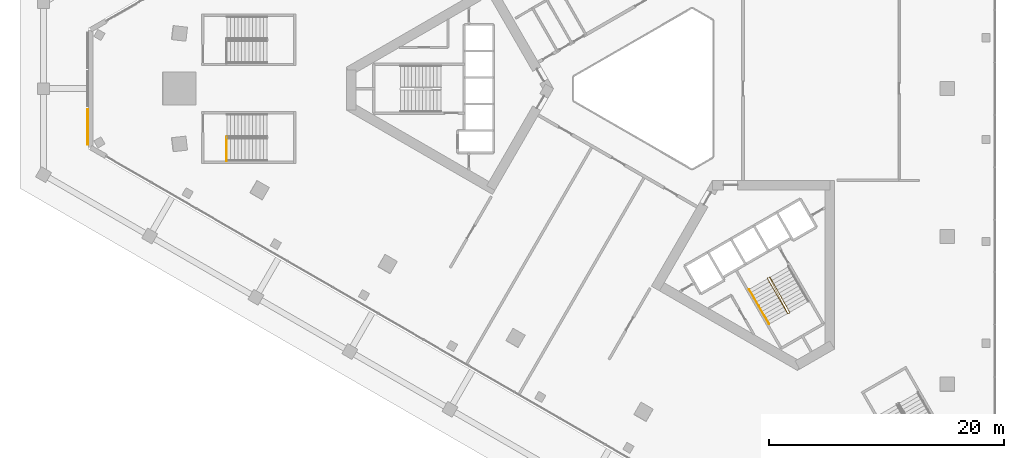
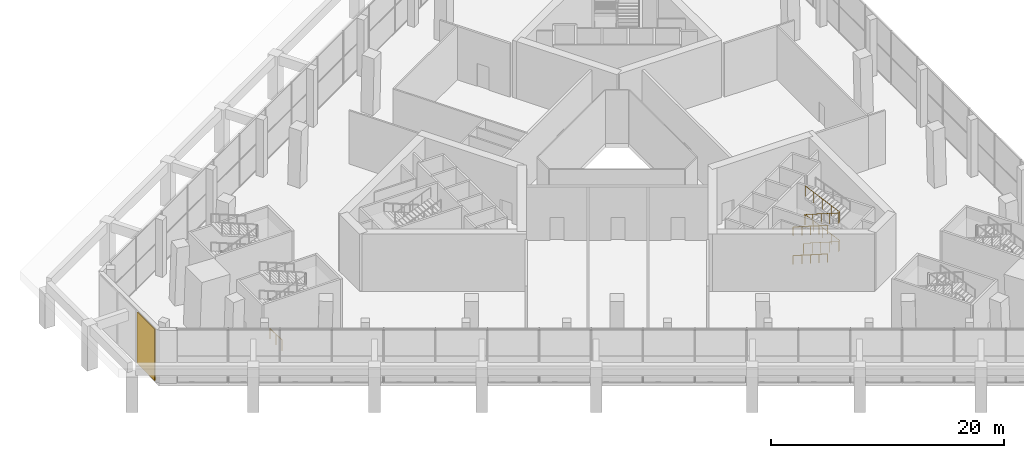
# One storey, part 39 of 51: 4 railings, 1 covering.
"""IFC4 building model written with IfcOpenShell, lengths in metres."""

from ifc_helpers import new_model, si_unit, direction, frame, origin, origin_2d, place, context, subcontext, project, spatial, rectangle, circle, extrude, material, layer, layer_set, type_object, element, save


model = new_model("IFC4")

# Units and contexts
model_context = context("Model", 3, precision=1e-05, world=origin(), true_north=direction((0.0, 1.0)))
body_context = subcontext(model_context, "Body", "Model", "MODEL_VIEW")
ifc_project = project(units=[si_unit("LENGTHUNIT", "METRE"), si_unit("AREAUNIT", "SQUARE_METRE"), si_unit("VOLUMEUNIT", "CUBIC_METRE"), si_unit("PLANEANGLEUNIT", "RADIAN"), si_unit("MASSUNIT", "GRAM", prefix="KILO")], contexts=[model_context])

# Site, building, storey
site_placement = place(None, origin())
site = spatial("IfcSite", under=ifc_project, at=site_placement, CompositionType="ELEMENT")
building_placement = place(site_placement, origin())
building = spatial("IfcBuilding", under=site, at=building_placement, Name="Jabali Bay Hotel Tower and Convention Centre", CompositionType="ELEMENT")
storey_placement = place(building_placement, frame((0.0, 0.0, 9.0)))
storey = spatial("IfcBuildingStorey", under=building, at=storey_placement, Name="L01", CompositionType="ELEMENT", Elevation=9.0)

# Covering
ifc_material_1 = material(Name="Precast concrete C40/50", Category="concrete")
ifc_layer = layer(ifc_material_1, 0.080078125)
ifc_layer_set = layer_set([ifc_layer], Name="Precast concrete C40/50")
covering_type = type_object("IfcCoveringType", Name="Relief panel 3000 x 5400", PredefinedType="CLADDING", material=ifc_layer_set)
covering_placement = place(storey_placement, frame((26.420166015625, 76.75, 0.10009765625), z_axis=(0.0, 0.0, 1.0), x_axis=(0.0, 1.0, 0.0)))
element("IfcCovering", 1, at=covering_placement, inside=storey, type_object=covering_type, Name="Relief panel L01", PredefinedType="CLADDING", context=body_context, shape_type="SweptSolid", body=[
    extrude(rectangle(XDim=3.0, YDim=0.080078125, at=origin_2d()), origin(), (0.0, 0.0, 1.0), 5.39990234375),
])

# Railings
ifc_material_2 = material(Name="Steel Q355B", Category="steel")
railing_type_1 = type_object("IfcRailingType", Name="Stair guard 1100", PredefinedType="GUARDRAIL", material=ifc_material_2)
railing_1_placement = place(storey_placement, frame((84.199951171875, 63.9150390625, 0.0)))
element("IfcRailing", 2, at=railing_1_placement, inside=storey, type_object=railing_type_1, Name="L01 ST3 stair guard 1", PredefinedType="GUARDRAIL", context=body_context, shape_type="SweptSolid", body=[
    extrude(circle(Radius=0.02392578125, at=origin_2d()), frame((0.0, 0.0, 1.076171875), z_axis=(-0.127472697635, -0.475898071169, 0.870213615852), x_axis=(0.965948051503, -0.258736085224, 0.0)), (0.0, 0.0, 1.0), 0.1435546875),
    extrude(circle(Radius=0.02392578125, at=origin_2d()), frame((-0.018310546875, -0.068359375, 1.201171875), z_axis=(0.463739605653, -0.803177873708, 0.373966417388), x_axis=(0.866013897511, 0.50001992892, 0.0)), (0.0, 0.0, 1.0), 3.6767578125),
    extrude(circle(Radius=0.02392578125, at=origin_2d()), frame((1.686767578125, -3.021484375, 2.576171875), z_axis=(0.961523947641, 0.274721127897, 0.0), x_axis=(-0.274721127897, 0.961523947641, 0.0)), (0.0, 0.0, 1.0), 0.2060546875),
    extrude(circle(Radius=0.02392578125, at=origin_2d()), frame((1.885009765625, -2.96484375, 2.576171875), z_axis=(-0.447235156574, 0.801126400023, 0.397714980748), x_axis=(-0.873153708814, -0.487444972058, 0.0)), (0.0, 0.0, 1.0), 3.771484375),
    extrude(circle(Radius=0.02392578125, at=origin_2d()), frame((0.1982421875, 0.056640625, 4.076171875), z_axis=(-0.965948051503, 0.258736085224, 0.0), x_axis=(-0.258736085224, -0.965948051503, 0.0)), (0.0, 0.0, 1.0), 0.07080078125),
    extrude(circle(Radius=0.02392578125, at=origin_2d()), frame((0.1298828125, 0.074951171875, 4.076171875), z_axis=(0.412258148368, -0.819926312647, 0.397195242837), x_axis=(0.893424667417, 0.449213049288, 0.0)), (0.0, 0.0, 1.0), 3.7763671875),
    extrude(circle(Radius=0.02392578125, at=origin_2d()), frame((1.686767578125, -3.021484375, 5.576171875), z_axis=(0.961523947641, 0.274721127897, 0.0), x_axis=(-0.274721127897, 0.961523947641, 0.0)), (0.0, 0.0, 1.0), 0.2060546875),
    extrude(circle(Radius=0.02392578125, at=origin_2d()), frame((1.885009765625, -2.96484375, 5.576171875), z_axis=(-0.447235156574, 0.801126400023, 0.397714980748), x_axis=(-0.873153708814, -0.487444972058, 0.0)), (0.0, 0.0, 1.0), 3.771484375),
    extrude(circle(Radius=0.02099609375, at=origin_2d()), origin(), (0.0, 0.0, 1.0), 1.052001953125),
    extrude(circle(Radius=0.02099609375, at=origin_2d()), frame((-0.018310546875, -0.068359375, 0.125)), (0.0, 0.0, 1.0), 1.052001953125),
    extrude(circle(Radius=0.02099609375, at=origin_2d()), frame((0.407958984375, -0.806640625, 0.46875)), (0.0, 0.0, 1.0), 1.052001953125),
    extrude(circle(Radius=0.02099609375, at=origin_2d()), frame((0.834228515625, -1.544921875, 0.8125)), (0.0, 0.0, 1.0), 1.052001953125),
    extrude(circle(Radius=0.02099609375, at=origin_2d()), frame((1.260498046875, -2.283203125, 1.15625)), (0.0, 0.0, 1.0), 1.052001953125),
    extrude(circle(Radius=0.02099609375, at=origin_2d()), frame((1.686767578125, -3.021484375, 1.5)), (0.0, 0.0, 1.0), 1.052001953125),
    extrude(circle(Radius=0.02099609375, at=origin_2d()), frame((1.885009765625, -2.96484375, 1.5)), (0.0, 0.0, 1.0), 1.052001953125),
    extrude(circle(Radius=0.02099609375, at=origin_2d()), frame((1.46337890625, -2.20947265625, 1.875)), (0.0, 0.0, 1.0), 1.052001953125),
    extrude(circle(Radius=0.02099609375, at=origin_2d()), frame((1.04150390625, -1.4541015625, 2.25)), (0.0, 0.0, 1.0), 1.052001953125),
    extrude(circle(Radius=0.02099609375, at=origin_2d()), frame((0.619873046875, -0.69873046875, 2.625)), (0.0, 0.0, 1.0), 1.052001953125),
    extrude(circle(Radius=0.02099609375, at=origin_2d()), frame((0.1982421875, 0.056640625, 3.0)), (0.0, 0.0, 1.0), 1.052001953125),
    extrude(circle(Radius=0.02099609375, at=origin_2d()), frame((0.1298828125, 0.074951171875, 3.0)), (0.0, 0.0, 1.0), 1.052001953125),
    extrude(circle(Radius=0.02099609375, at=origin_2d()), frame((0.51904296875, -0.69921875, 3.375)), (0.0, 0.0, 1.0), 1.052001953125),
    extrude(circle(Radius=0.02099609375, at=origin_2d()), frame((0.908203125, -1.47314453125, 3.75)), (0.0, 0.0, 1.0), 1.052001953125),
    extrude(circle(Radius=0.02099609375, at=origin_2d()), frame((1.297607421875, -2.247314453125, 4.125)), (0.0, 0.0, 1.0), 1.052001953125),
    extrude(circle(Radius=0.02099609375, at=origin_2d()), frame((1.686767578125, -3.021484375, 4.5)), (0.0, 0.0, 1.0), 1.052001953125),
    extrude(circle(Radius=0.02099609375, at=origin_2d()), frame((1.885009765625, -2.96484375, 4.5)), (0.0, 0.0, 1.0), 1.052001953125),
    extrude(circle(Radius=0.02099609375, at=origin_2d()), frame((1.46337890625, -2.20947265625, 4.875)), (0.0, 0.0, 1.0), 1.052001953125),
    extrude(circle(Radius=0.02099609375, at=origin_2d()), frame((1.04150390625, -1.4541015625, 5.25)), (0.0, 0.0, 1.0), 1.052001953125),
    extrude(circle(Radius=0.02099609375, at=origin_2d()), frame((0.619873046875, -0.69873046875, 5.625)), (0.0, 0.0, 1.0), 1.052001953125),
    extrude(circle(Radius=0.02099609375, at=origin_2d()), frame((0.1982421875, 0.056640625, 6.0)), (0.0, 0.0, 1.0), 1.052001953125),
])
railing_2_placement = place(storey_placement, frame((38.199951171875, 73.85009765625, 0.0)))
element("IfcRailing", 3, at=railing_2_placement, inside=storey, type_object=railing_type_1, Name="L01 PS1 top well guard 1", PredefinedType="GUARDRAIL", context=body_context, shape_type="SweptSolid", body=[
    extrude(circle(Radius=0.02392578125, at=origin_2d()), frame((0.0, 0.0, 1.076171875), z_axis=(0.0, 1.0, 0.0), x_axis=(-1.0, 0.0, 0.0)), (0.0, 0.0, 1.0), 2.0498046875),
    extrude(circle(Radius=0.02099609375, at=origin_2d()), origin(), (0.0, 0.0, 1.0), 1.052001953125),
    extrude(circle(Radius=0.02099609375, at=origin_2d()), frame((0.0, 1.02490234375, 0.0)), (0.0, 0.0, 1.0), 1.052001953125),
    extrude(circle(Radius=0.02099609375, at=origin_2d()), frame((0.0, 2.0498046875, 0.0)), (0.0, 0.0, 1.0), 1.052001953125),
])
railing_type_2 = type_object("IfcRailingType", Name="Stair handrail 900", PredefinedType="HANDRAIL", material=ifc_material_2)
for number, where, name in (
    (4, (82.622802734375, 62.94677734375, 0.125), "L01 ST3 stair handrail 1"),
    (5, (82.622802734375, 62.94677734375, 3.125), "L01 ST3 stair handrail 3"),
):
    element("IfcRailing", number, at=place(storey_placement, frame(where)), inside=storey, type_object=railing_type_2, Name=name, PredefinedType="HANDRAIL", context=body_context, shape_type="SweptSolid", body=[
        extrude(circle(Radius=0.02392578125, at=origin_2d()), frame((0.0, 0.0, 0.8759765625), z_axis=(0.463739605653, -0.803177873708, 0.373966417388), x_axis=(0.866013897511, 0.50001992892, 0.0)), (0.0, 0.0, 1.0), 3.6767578125),
        extrude(circle(Radius=0.02099609375, at=origin_2d()), origin(), (0.0, 0.0, 1.0), 0.851806640625),
        extrude(circle(Radius=0.02099609375, at=origin_2d()), frame((0.42626953125, -0.73828125, 0.34375)), (0.0, 0.0, 1.0), 0.851806640625),
        extrude(circle(Radius=0.02099609375, at=origin_2d()), frame((0.8525390625, -1.4765625, 0.6875)), (0.0, 0.0, 1.0), 0.851806640625),
        extrude(circle(Radius=0.02099609375, at=origin_2d()), frame((1.27880859375, -2.21484375, 1.03125)), (0.0, 0.0, 1.0), 0.851806640625),
        extrude(circle(Radius=0.02099609375, at=origin_2d()), frame((1.705078125, -2.953125, 1.375)), (0.0, 0.0, 1.0), 0.851806640625),
    ])

save(model, "model.ifc")
